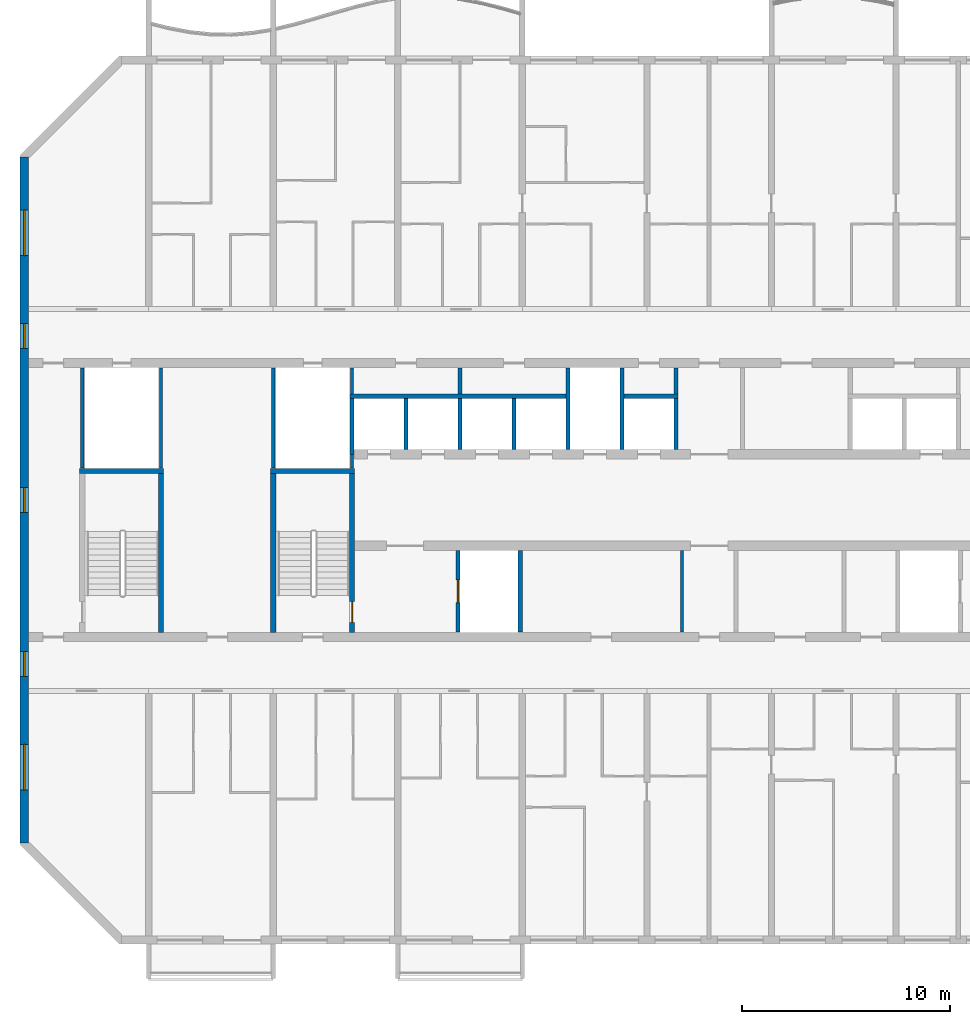
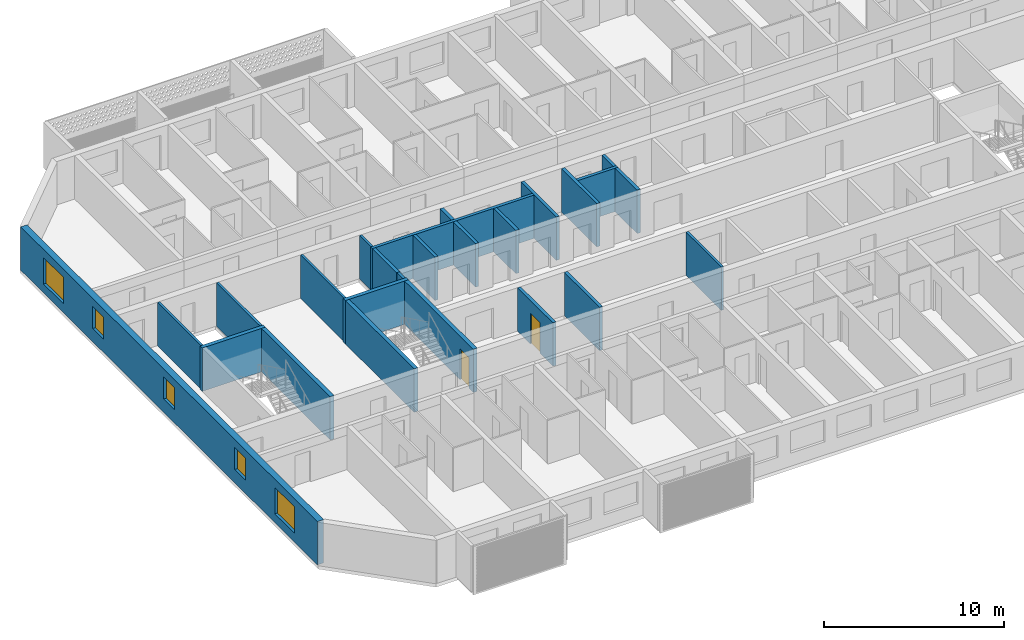
# One storey, part 3 of 26: 25 walls, 5 windows, 2 doors, 7 openings.
"""IFC4 building model written with IfcOpenShell, lengths in metres."""

from ifc_helpers import new_model, si_unit, direction, frame, frame_2d, origin, place, context, subcontext, project, spatial, rectangle, extrude, material, layer, layer_set, type_object, element, fill, save


model = new_model("IFC4")

# Units and contexts
model_context = context("Model", 3, precision=1e-05, world=origin(), true_north=direction((0.0, 1.0)))
body_context = subcontext(model_context, "Body", "Model", "MODEL_VIEW")
ifc_project = project(units=[si_unit("LENGTHUNIT", "METRE"), si_unit("AREAUNIT", "SQUARE_METRE"), si_unit("VOLUMEUNIT", "CUBIC_METRE"), si_unit("PLANEANGLEUNIT", "RADIAN"), si_unit("MASSUNIT", "GRAM", prefix="KILO")], contexts=[model_context])

# Site, building, storey
site_placement = place(None, origin())
site = spatial("IfcSite", under=ifc_project, at=site_placement, CompositionType="ELEMENT")
building_placement = place(site_placement, origin())
building = spatial("IfcBuilding", under=site, at=building_placement, Name="Poui Terraces", CompositionType="ELEMENT")
storey_placement = place(building_placement, frame((0.0, 0.0, 162.0)))
storey = spatial("IfcBuildingStorey", under=building, at=storey_placement, Name="L45", CompositionType="ELEMENT", Elevation=162.0)

# Wall
ifc_material_1 = material(Name="Fire-rated plasterboard wall")
ifc_layer_1 = layer(ifc_material_1, 0.14990234375)
ifc_layer_set_1 = layer_set([ifc_layer_1], Name="Fire-rated plasterboard wall")
wall_type_1 = type_object("IfcWallType", Name="CORRIDOR WALL 150", PredefinedType="PARTITIONING", material=ifc_layer_set_1)
wall_1_placement = place(storey_placement, frame((49.699951171875, 14.8349609375, 0.0), z_axis=(0.0, 0.0, 1.0), x_axis=(0.0, 1.0, 0.0)))
element("IfcWall", 1, at=wall_1_placement, inside=storey, type_object=wall_type_1, Name="CORRIDOR WALL 150", PredefinedType="PARTITIONING", context=body_context, shape_type="SweptSolid", body=[
    extrude(rectangle(XDim=3.929931640625, YDim=0.14990234375, at=frame_2d((1.96484375, 0.0))), origin(), (0.0, 0.0, 1.0), 2.949951171875),
])

# Wall, openings, windows
ifc_material_2 = material(Name="Concrete 65 MPa", Category="concrete")
ifc_layer_2 = layer(ifc_material_2, 0.39990234375)
ifc_layer_set_2 = layer_set([ifc_layer_2], Name="Concrete 65 MPa")
wall_type_2 = type_object("IfcWallType", Name="END WALL 400 65MPa", PredefinedType="SHEAR", material=ifc_layer_set_2)
wall_2_placement = place(storey_placement, frame((18.0, 4.682861328125, 0.0), z_axis=(0.0, 0.0, 1.0), x_axis=(0.0, 1.0, 0.0)))
wall_2 = element("IfcWall", 2, at=wall_2_placement, inside=storey, type_object=wall_type_2, Name="END WALL WEST", PredefinedType="SHEAR", context=body_context, shape_type="SweptSolid", body=[
    extrude(rectangle(XDim=33.034423828125, YDim=0.39990234375, at=frame_2d((16.51708984375, 0.0))), origin(), (0.0, 0.0, 1.0), 2.949951171875),
])
opening_1_placement = place(wall_2_placement, frame((23.817138671875, 0.0, 0.89990234375)))
opening_1 = element("IfcOpeningElement", 3, at=opening_1_placement, cuts=wall_2, Name="Opening W2", PredefinedType="OPENING", context=body_context, shape_type="SweptSolid", body=[
    extrude(rectangle(XDim=1.199951171875, YDim=1.5, at=frame_2d((0.60009765625, 0.75))), frame((0.0, 0.2099609375, 0.0), z_axis=(0.0, -1.0, 0.0), x_axis=(1.0, 0.0, 0.0)), (0.0, 0.0, 1.0), 0.419921875),
])
opening_2_placement = place(wall_2_placement, frame((8.01708984375, 0.0, 0.89990234375)))
opening_2 = element("IfcOpeningElement", 4, at=opening_2_placement, cuts=wall_2, Name="Opening W2", PredefinedType="OPENING", context=body_context, shape_type="SweptSolid", body=[
    extrude(rectangle(XDim=1.199951171875, YDim=1.5, at=frame_2d((0.60009765625, 0.75))), frame((0.0, 0.2099609375, 0.0), z_axis=(0.0, -1.0, 0.0), x_axis=(1.0, 0.0, 0.0)), (0.0, 0.0, 1.0), 0.419921875),
])
opening_3_placement = place(wall_2_placement, frame((28.29345703125, 0.0, 0.60009765625)))
opening_3 = element("IfcOpeningElement", 5, at=opening_3_placement, cuts=wall_2, Name="Opening W3", PredefinedType="OPENING", context=body_context, shape_type="SweptSolid", body=[
    extrude(rectangle(XDim=2.199951171875, YDim=1.800048828125, at=frame_2d((1.10009765625, 0.89990234375))), frame((0.0, 0.2099609375, 0.0), z_axis=(0.0, -1.0, 0.0), x_axis=(1.0, 0.0, 0.0)), (0.0, 0.0, 1.0), 0.419921875),
])
opening_4_placement = place(wall_2_placement, frame((2.541015625, 0.0, 0.60009765625)))
opening_4 = element("IfcOpeningElement", 6, at=opening_4_placement, cuts=wall_2, Name="Opening W3", PredefinedType="OPENING", context=body_context, shape_type="SweptSolid", body=[
    extrude(rectangle(XDim=2.199951171875, YDim=1.800048828125, at=frame_2d((1.10009765625, 0.89990234375))), frame((0.0, 0.2099609375, 0.0), z_axis=(0.0, -1.0, 0.0), x_axis=(1.0, 0.0, 0.0)), (0.0, 0.0, 1.0), 0.419921875),
])
opening_5_placement = place(wall_2_placement, frame((15.917236328125, 0.0, 0.89990234375)))
opening_5 = element("IfcOpeningElement", 7, at=opening_5_placement, cuts=wall_2, Name="Opening W2", PredefinedType="OPENING", context=body_context, shape_type="SweptSolid", body=[
    extrude(rectangle(XDim=1.199951171875, YDim=1.5, at=frame_2d((0.60009765625, 0.75))), frame((0.0, 0.2099609375, 0.0), z_axis=(0.0, -1.0, 0.0), x_axis=(1.0, 0.0, 0.0)), (0.0, 0.0, 1.0), 0.419921875),
])
ifc_material_3 = material(Name="Clear glass in aluminium frame", Category="aluminium")
window_type_1 = type_object("IfcWindowType", Name="WINDOW 1200X1500", PartitioningType="SINGLE_PANEL", PredefinedType="WINDOW", material=ifc_material_3)
window_1_placement = place(opening_1_placement, origin())
window_1 = element("IfcWindow", 8, at=window_1_placement, inside=storey, type_object=window_type_1, Name="W2 WINDOW", OverallHeight=1.5, OverallWidth=1.199951171875, PartitioningType="SINGLE_PANEL", PredefinedType="WINDOW", context=body_context, shape_type="SweptSolid", body=[
    extrude(rectangle(XDim=1.199951171875, YDim=1.5, at=frame_2d((0.60009765625, 0.75))), frame((0.0, 0.030029296875, 0.0), z_axis=(0.0, -1.0, 0.0), x_axis=(1.0, 0.0, 0.0)), (0.0, 0.0, 1.0), 0.06005859375),
])
fill(opening_1, window_1)
window_2_placement = place(opening_2_placement, origin())
window_2 = element("IfcWindow", 9, at=window_2_placement, inside=storey, type_object=window_type_1, Name="W2 WINDOW", OverallHeight=1.5, OverallWidth=1.199951171875, PartitioningType="SINGLE_PANEL", PredefinedType="WINDOW", context=body_context, shape_type="SweptSolid", body=[
    extrude(rectangle(XDim=1.199951171875, YDim=1.5, at=frame_2d((0.60009765625, 0.75))), frame((0.0, 0.030029296875, 0.0), z_axis=(0.0, -1.0, 0.0), x_axis=(1.0, 0.0, 0.0)), (0.0, 0.0, 1.0), 0.06005859375),
])
fill(opening_2, window_2)
window_3_placement = place(opening_5_placement, origin())
window_3 = element("IfcWindow", 10, at=window_3_placement, inside=storey, type_object=window_type_1, Name="W2 WINDOW", OverallHeight=1.5, OverallWidth=1.199951171875, PartitioningType="SINGLE_PANEL", PredefinedType="WINDOW", context=body_context, shape_type="SweptSolid", body=[
    extrude(rectangle(XDim=1.199951171875, YDim=1.5, at=frame_2d((0.60009765625, 0.75))), frame((0.0, 0.030029296875, 0.0), z_axis=(0.0, -1.0, 0.0), x_axis=(1.0, 0.0, 0.0)), (0.0, 0.0, 1.0), 0.06005859375),
])
fill(opening_5, window_3)
window_type_2 = type_object("IfcWindowType", Name="WINDOW 2200X1800", PartitioningType="DOUBLE_PANEL_HORIZONTAL", PredefinedType="WINDOW", material=ifc_material_3)
window_4_placement = place(opening_3_placement, origin())
window_4 = element("IfcWindow", 11, at=window_4_placement, inside=storey, type_object=window_type_2, Name="W3 WINDOW", OverallHeight=1.800048828125, OverallWidth=2.199951171875, PartitioningType="DOUBLE_PANEL_HORIZONTAL", PredefinedType="WINDOW", context=body_context, shape_type="SweptSolid", body=[
    extrude(rectangle(XDim=2.199951171875, YDim=1.800048828125, at=frame_2d((1.10009765625, 0.89990234375))), frame((0.0, 0.030029296875, 0.0), z_axis=(0.0, -1.0, 0.0), x_axis=(1.0, 0.0, 0.0)), (0.0, 0.0, 1.0), 0.06005859375),
])
fill(opening_3, window_4)
window_5_placement = place(opening_4_placement, origin())
window_5 = element("IfcWindow", 12, at=window_5_placement, inside=storey, type_object=window_type_2, Name="W3 WINDOW", OverallHeight=1.800048828125, OverallWidth=2.199951171875, PartitioningType="DOUBLE_PANEL_HORIZONTAL", PredefinedType="WINDOW", context=body_context, shape_type="SweptSolid", body=[
    extrude(rectangle(XDim=2.199951171875, YDim=1.800048828125, at=frame_2d((1.10009765625, 0.89990234375))), frame((0.0, 0.030029296875, 0.0), z_axis=(0.0, -1.0, 0.0), x_axis=(1.0, 0.0, 0.0)), (0.0, 0.0, 1.0), 0.06005859375),
])
fill(opening_4, window_5)

# Walls
ifc_material_4 = material(Name="Fire-rated masonry wall", Category="masonry")
ifc_layer_3 = layer(ifc_material_4, 0.199951171875)
ifc_layer_set_3 = layer_set([ifc_layer_3], Name="Fire-rated masonry wall")
wall_type_3 = type_object("IfcWallType", Name="PLANT ROOM WALL 200", PredefinedType="PARTITIONING", material=ifc_layer_set_3)
for number, where, z_axis, x_axis, name in (
    (13, (39.0, 26.300048828125, 0.0), (0.0, 0.0, 1.0), (0.0, 1.0, 0.0), "PLANT ROOM WALL 200"),
    (14, (49.39990234375, 26.300048828125, 0.0), (0.0, 0.0, 1.0), (0.0, 1.0, 0.0), "PLANT ROOM WALL 200"),
):
    element("IfcWall", number, at=place(storey_placement, frame(where, z_axis=z_axis, x_axis=x_axis)), inside=storey, type_object=wall_type_3, Name=name, PredefinedType="PARTITIONING", context=body_context, shape_type="SweptSolid", body=[
        extrude(rectangle(XDim=1.264892578125, YDim=0.199951171875, at=frame_2d((0.63232421875, 0.0))), origin(), (0.0, 0.0, 1.0), 2.949951171875),
    ])
ifc_material_5 = material(Name="Fire-rated plasterboard riser wall")
ifc_layer_4 = layer(ifc_material_5, 0.14990234375)
ifc_layer_set_4 = layer_set([ifc_layer_4], Name="Fire-rated plasterboard riser wall")
wall_type_4 = type_object("IfcWallType", Name="RISER WALL 150", PredefinedType="PARTITIONING", material=ifc_layer_set_4)
for number, where, z_axis, x_axis, name in (
    (15, (20.800048828125, 22.735107421875, 0.0), (0.0, 0.0, 1.0), (0.0, 1.0, 0.0), "RISER WALL 150"),
    (16, (24.60009765625, 22.735107421875, 0.0), (0.0, 0.0, 1.0), (0.0, 1.0, 0.0), "RISER WALL 150"),
    (17, (30.0, 22.735107421875, 0.0), (0.0, 0.0, 1.0), (0.0, 1.0, 0.0), "RISER WALL 150"),
):
    element("IfcWall", number, at=place(storey_placement, frame(where, z_axis=z_axis, x_axis=x_axis)), inside=storey, type_object=wall_type_4, Name=name, PredefinedType="PARTITIONING", context=body_context, shape_type="SweptSolid", body=[
        extrude(rectangle(XDim=4.829833984375, YDim=0.14990234375, at=frame_2d((2.4150390625, 0.0))), origin(), (0.0, 0.0, 1.0), 2.949951171875),
    ])
wall_3_placement = place(storey_placement, frame((33.800048828125, 22.735107421875, 0.0), z_axis=(0.0, 0.0, 1.0), x_axis=(0.0, 1.0, 0.0)))
element("IfcWall", 18, at=wall_3_placement, inside=storey, type_object=wall_type_4, Name="RISER WALL 150", PredefinedType="PARTITIONING", context=body_context, shape_type="SweptSolid", body=[
    extrude(rectangle(XDim=0.664794921875, YDim=0.14990234375, at=frame_2d((0.33251953125, 0.0))), origin(), (0.0, 0.0, 1.0), 2.949951171875),
])
wall_4_placement = place(storey_placement, frame((33.800048828125, 26.300048828125, 0.0), z_axis=(0.0, 0.0, 1.0), x_axis=(0.0, 1.0, 0.0)))
element("IfcWall", 19, at=wall_4_placement, inside=storey, type_object=wall_type_4, Name="RISER WALL 150", PredefinedType="PARTITIONING", context=body_context, shape_type="SweptSolid", body=[
    extrude(rectangle(XDim=1.264892578125, YDim=0.14990234375, at=frame_2d((0.63232421875, 0.0))), origin(), (0.0, 0.0, 1.0), 2.949951171875),
])
ifc_material_6 = material(Name="Fire-rated masonry shaft wall", Category="masonry")
ifc_layer_5 = layer(ifc_material_6, 0.199951171875)
ifc_layer_set_5 = layer_set([ifc_layer_5], Name="Fire-rated masonry shaft wall")
wall_type_5 = type_object("IfcWallType", Name="SHAFT WALL 200", PredefinedType="PARTITIONING", material=ifc_layer_set_5)
wall_5_placement = place(storey_placement, frame((33.699951171875, 26.199951171875, 0.0), z_axis=(0.0, 0.0, 1.0), x_axis=(1.0, 0.0, 0.0)))
element("IfcWall", 20, at=wall_5_placement, inside=storey, type_object=wall_type_5, Name="SHAFT WALL 200", PredefinedType="PARTITIONING", context=body_context, shape_type="SweptSolid", body=[
    extrude(rectangle(XDim=10.400146484375, YDim=0.199951171875, at=frame_2d((5.2001953125, 0.0))), origin(), (0.0, 0.0, 1.0), 2.949951171875),
])
wall_6_placement = place(storey_placement, frame((46.89990234375, 26.199951171875, 0.0), z_axis=(0.0, 0.0, 1.0), x_axis=(1.0, 0.0, 0.0)))
element("IfcWall", 21, at=wall_6_placement, inside=storey, type_object=wall_type_5, Name="SHAFT WALL 200", PredefinedType="PARTITIONING", context=body_context, shape_type="SweptSolid", body=[
    extrude(rectangle(XDim=2.60009765625, YDim=0.199951171875, at=frame_2d((1.300048828125, 0.0))), origin(), (0.0, 0.0, 1.0), 2.949951171875),
])
wall_7_placement = place(storey_placement, frame((33.800048828125, 23.39990234375, 0.0), z_axis=(0.0, 0.0, 1.0), x_axis=(0.0, 1.0, 0.0)))
element("IfcWall", 22, at=wall_7_placement, inside=storey, type_object=wall_type_5, Name="SHAFT WALL 200", PredefinedType="PARTITIONING", context=body_context, shape_type="SweptSolid", body=[
    extrude(rectangle(XDim=2.7001953125, YDim=0.199951171875, at=frame_2d((1.35009765625, 0.0))), origin(), (0.0, 0.0, 1.0), 2.949951171875),
])
wall_8_placement = place(storey_placement, frame((36.39990234375, 23.635009765625, 0.0), z_axis=(0.0, 0.0, 1.0), x_axis=(0.0, 1.0, 0.0)))
element("IfcWall", 23, at=wall_8_placement, inside=storey, type_object=wall_type_5, Name="SHAFT WALL 200", PredefinedType="PARTITIONING", context=body_context, shape_type="SweptSolid", body=[
    extrude(rectangle(XDim=2.465087890625, YDim=0.199951171875, at=frame_2d((1.232421875, 0.0))), origin(), (0.0, 0.0, 1.0), 2.949951171875),
])

# Wall, opening, door
wall_9_placement = place(storey_placement, frame((38.89990234375, 14.8349609375, 0.0), z_axis=(0.0, 0.0, 1.0), x_axis=(0.0, 1.0, 0.0)))
wall_9 = element("IfcWall", 24, at=wall_9_placement, inside=storey, type_object=wall_type_5, Name="SHAFT WALL 200", PredefinedType="PARTITIONING", context=body_context, shape_type="SweptSolid", body=[
    extrude(rectangle(XDim=3.929931640625, YDim=0.199951171875, at=frame_2d((1.96484375, 0.0))), origin(), (0.0, 0.0, 1.0), 2.949951171875),
])
opening_6_placement = place(wall_9_placement, frame((1.4150390625, 0.0, 0.0)))
opening_6 = element("IfcOpeningElement", 25, at=opening_6_placement, cuts=wall_9, Name="Opening LD", PredefinedType="OPENING", context=body_context, shape_type="SweptSolid", body=[
    extrude(rectangle(XDim=1.10009765625, YDim=2.10009765625, at=frame_2d((0.550048828125, 1.050048828125))), frame((0.0, 0.10986328125, 0.0), z_axis=(0.0, -1.0, 0.0), x_axis=(1.0, 0.0, 0.0)), (0.0, 0.0, 1.0), 0.219970703125),
])
ifc_material_7 = material(Name="Stainless steel sliding door", Category="steel")
door_type_1 = type_object("IfcDoorType", Name="LIFT LANDING DOOR 1100 X 2100", OperationType="DOUBLE_DOOR_SLIDING", PredefinedType="DOOR", material=ifc_material_7)
door_1_placement = place(opening_6_placement, origin())
door_1 = element("IfcDoor", 26, at=door_1_placement, inside=storey, type_object=door_type_1, Name="LANDING DOOR", OperationType="DOUBLE_DOOR_SLIDING", OverallHeight=2.10009765625, OverallWidth=1.10009765625, PredefinedType="DOOR", context=body_context, shape_type="SweptSolid", body=[
    extrude(rectangle(XDim=1.10009765625, YDim=2.10009765625, at=frame_2d((0.550048828125, 1.050048828125))), frame((0.0, 0.02490234375, 0.0), z_axis=(0.0, -1.0, 0.0), x_axis=(1.0, 0.0, 0.0)), (0.0, 0.0, 1.0), 0.050048828125),
])
fill(opening_6, door_1)

# Walls
for number, where, z_axis, x_axis, name in (
    (27, (39.0, 23.635009765625, 0.0), (0.0, 0.0, 1.0), (0.0, 1.0, 0.0), "SHAFT WALL 200"),
    (28, (41.60009765625, 23.635009765625, 0.0), (0.0, 0.0, 1.0), (0.0, 1.0, 0.0), "SHAFT WALL 200"),
):
    element("IfcWall", number, at=place(storey_placement, frame(where, z_axis=z_axis, x_axis=x_axis)), inside=storey, type_object=wall_type_5, Name=name, PredefinedType="PARTITIONING", context=body_context, shape_type="SweptSolid", body=[
        extrude(rectangle(XDim=2.465087890625, YDim=0.199951171875, at=frame_2d((1.232421875, 0.0))), origin(), (0.0, 0.0, 1.0), 2.949951171875),
    ])
for number, where, z_axis, x_axis, name in (
    (29, (41.89990234375, 14.8349609375, 0.0), (0.0, 0.0, 1.0), (0.0, 1.0, 0.0), "SHAFT WALL 200"),
    (30, (44.199951171875, 23.635009765625, 0.0), (0.0, 0.0, 1.0), (0.0, 1.0, 0.0), "SHAFT WALL 200"),
    (31, (46.800048828125, 23.635009765625, 0.0), (0.0, 0.0, 1.0), (0.0, 1.0, 0.0), "SHAFT WALL 200"),
):
    element("IfcWall", number, at=place(storey_placement, frame(where, z_axis=z_axis, x_axis=x_axis)), inside=storey, type_object=wall_type_5, Name=name, PredefinedType="PARTITIONING", context=body_context, shape_type="SweptSolid", body=[
        extrude(rectangle(XDim=3.929931640625, YDim=0.199951171875, at=frame_2d((1.96484375, 0.0))), origin(), (0.0, 0.0, 1.0), 2.949951171875),
    ])
wall_10_placement = place(storey_placement, frame((49.39990234375, 23.635009765625, 0.0), z_axis=(0.0, 0.0, 1.0), x_axis=(0.0, 1.0, 0.0)))
element("IfcWall", 32, at=wall_10_placement, inside=storey, type_object=wall_type_5, Name="SHAFT WALL 200", PredefinedType="PARTITIONING", context=body_context, shape_type="SweptSolid", body=[
    extrude(rectangle(XDim=2.465087890625, YDim=0.199951171875, at=frame_2d((1.232421875, 0.0))), origin(), (0.0, 0.0, 1.0), 2.949951171875),
])
ifc_layer_6 = layer(ifc_material_2, 0.25)
ifc_layer_set_6 = layer_set([ifc_layer_6], Name="Concrete 65 MPa")
wall_type_6 = type_object("IfcWallType", Name="STAIR CORE WALL 250 65 MPA", PredefinedType="SOLIDWALL", material=ifc_layer_set_6)
wall_11_placement = place(storey_placement, frame((30.0, 14.824951171875, 0.0), z_axis=(0.0, 0.0, 1.0), x_axis=(0.0, 1.0, 0.0)))
element("IfcWall", 33, at=wall_11_placement, inside=storey, type_object=wall_type_6, Name="STAIR CORE WALL", PredefinedType="SOLIDWALL", context=body_context, shape_type="SweptSolid", body=[
    extrude(rectangle(XDim=7.650146484375, YDim=0.25, at=frame_2d((3.8251953125, 0.0))), origin(), (0.0, 0.0, 1.0), 2.949951171875),
])

# Wall, opening, door
wall_12_placement = place(storey_placement, frame((33.800048828125, 14.824951171875, 0.0), z_axis=(0.0, 0.0, 1.0), x_axis=(0.0, 1.0, 0.0)))
wall_12 = element("IfcWall", 34, at=wall_12_placement, inside=storey, type_object=wall_type_6, Name="STAIR CORE WALL", PredefinedType="SOLIDWALL", context=body_context, shape_type="SweptSolid", body=[
    extrude(rectangle(XDim=7.650146484375, YDim=0.25, at=frame_2d((3.8251953125, 0.0))), origin(), (0.0, 0.0, 1.0), 2.949951171875),
])
opening_7_placement = place(wall_12_placement, frame((0.47509765625, 0.0, 0.0)))
opening_7 = element("IfcOpeningElement", 35, at=opening_7_placement, cuts=wall_12, Name="Opening FD60S", PredefinedType="OPENING", context=body_context, shape_type="SweptSolid", body=[
    extrude(rectangle(XDim=1.0, YDim=2.10009765625, at=frame_2d((0.5, 1.050048828125))), frame((0.0, 0.135009765625, 0.0), z_axis=(0.0, -1.0, 0.0), x_axis=(1.0, 0.0, 0.0)), (0.0, 0.0, 1.0), 0.27001953125),
])
ifc_material_8 = material(Name="Steel fire door", Category="steel")
door_type_2 = type_object("IfcDoorType", Name="STAIR DOOR 1000 X 2100", OperationType="NOTDEFINED", PredefinedType="DOOR", material=ifc_material_8)
door_2_placement = place(opening_7_placement, origin())
door_2 = element("IfcDoor", 36, at=door_2_placement, inside=storey, type_object=door_type_2, Name="STAIR DOOR 097", OperationType="SINGLE_SWING_LEFT", OverallHeight=2.10009765625, OverallWidth=1.0, PredefinedType="DOOR", context=body_context, shape_type="SweptSolid", body=[
    extrude(rectangle(XDim=1.0, YDim=2.10009765625, at=frame_2d((0.5, 1.050048828125))), frame((0.0, 0.02490234375, 0.0), z_axis=(0.0, -1.0, 0.0), x_axis=(1.0, 0.0, 0.0)), (0.0, 0.0, 1.0), 0.050048828125),
])
fill(opening_7, door_2)

# Walls
wall_13_placement = place(storey_placement, frame((29.875, 22.60009765625, 0.0), z_axis=(0.0, 0.0, 1.0), x_axis=(1.0, 0.0, 0.0)))
element("IfcWall", 37, at=wall_13_placement, inside=storey, type_object=wall_type_6, Name="STAIR CORE WALL", PredefinedType="SOLIDWALL", context=body_context, shape_type="SweptSolid", body=[
    extrude(rectangle(XDim=4.050048828125, YDim=0.25, at=frame_2d((2.02490234375, 0.0))), origin(), (0.0, 0.0, 1.0), 2.949951171875),
])
wall_14_placement = place(storey_placement, frame((24.60009765625, 14.824951171875, 0.0), z_axis=(0.0, 0.0, 1.0), x_axis=(0.0, 1.0, 0.0)))
element("IfcWall", 38, at=wall_14_placement, inside=storey, type_object=wall_type_6, Name="STAIR CORE WALL", PredefinedType="SOLIDWALL", context=body_context, shape_type="SweptSolid", body=[
    extrude(rectangle(XDim=7.650146484375, YDim=0.25, at=frame_2d((3.8251953125, 0.0))), origin(), (0.0, 0.0, 1.0), 2.949951171875),
])
wall_15_placement = place(storey_placement, frame((20.675048828125, 22.60009765625, 0.0), z_axis=(0.0, 0.0, 1.0), x_axis=(1.0, 0.0, 0.0)))
element("IfcWall", 39, at=wall_15_placement, inside=storey, type_object=wall_type_6, Name="STAIR CORE WALL", PredefinedType="SOLIDWALL", context=body_context, shape_type="SweptSolid", body=[
    extrude(rectangle(XDim=4.050048828125, YDim=0.25, at=frame_2d((2.02490234375, 0.0))), origin(), (0.0, 0.0, 1.0), 2.949951171875),
])

save(model, "model.ifc")
